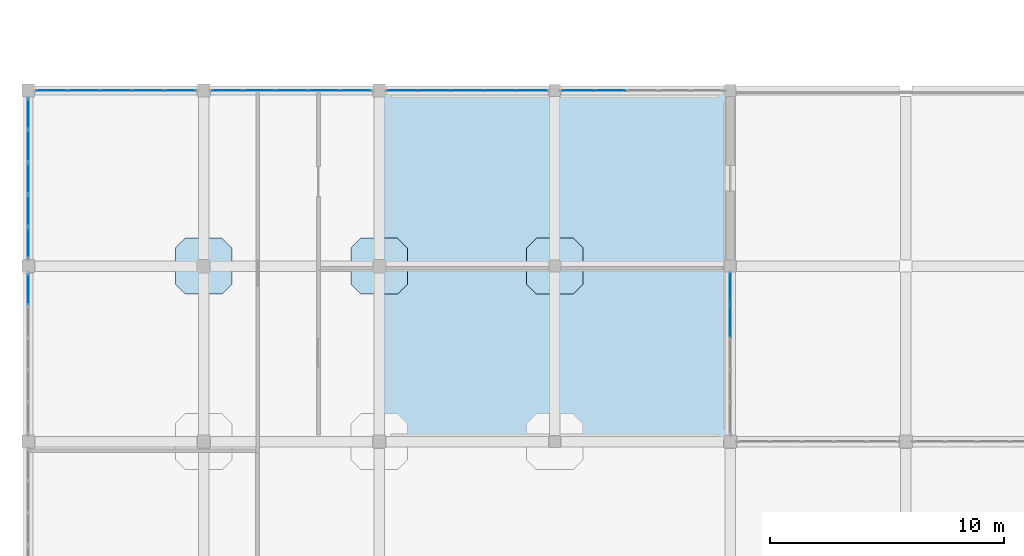
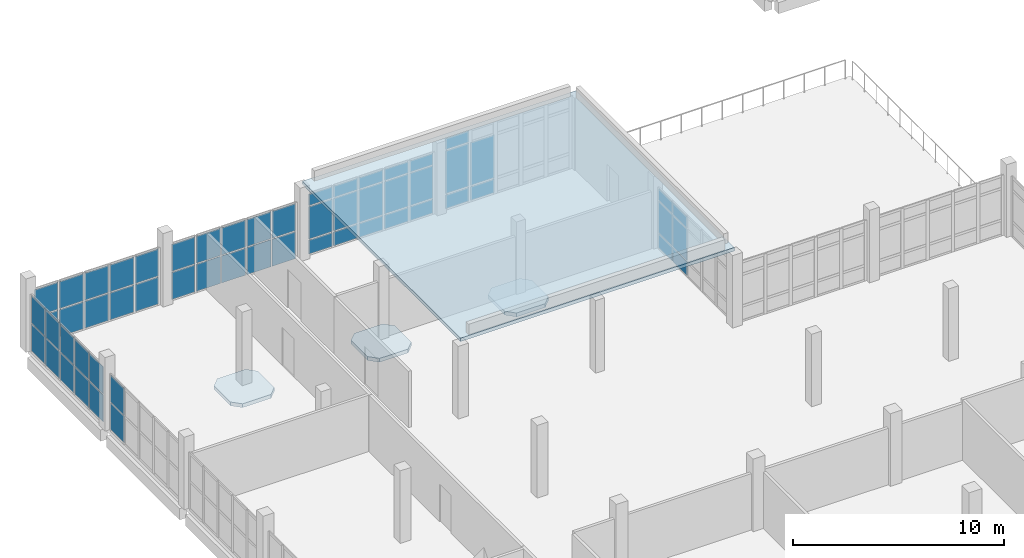
# One storey, part 129 of 164: 58 plates, 4 slabs, 7 elements without a shape of their own.
"""IFC4 building model written with IfcOpenShell, lengths in metres."""

from ifc_helpers import new_model, si_unit, direction, frame, origin, origin_2d, place, context, subcontext, project, spatial, polyline, rectangle, outline, extrude, material, layer, layer_set, type_object, element, aggregate, save


model = new_model("IFC4")

# Units and contexts
model_context = context("Model", 3, precision=1e-05, world=origin(), true_north=direction((0.0, 1.0)))
body_context = subcontext(model_context, "Body", "Model", "MODEL_VIEW")
ifc_project = project(units=[si_unit("LENGTHUNIT", "METRE"), si_unit("AREAUNIT", "SQUARE_METRE"), si_unit("VOLUMEUNIT", "CUBIC_METRE"), si_unit("PLANEANGLEUNIT", "RADIAN"), si_unit("MASSUNIT", "GRAM", prefix="KILO")], contexts=[model_context])

# Site, building, storey
site_placement = place(None, origin())
site = spatial("IfcSite", under=ifc_project, at=site_placement, CompositionType="ELEMENT")
building_placement = place(site_placement, origin())
building = spatial("IfcBuilding", under=site, at=building_placement, Name="Mawjan Specialist Oncology Clinic", CompositionType="ELEMENT")
storey_placement = place(building_placement, frame((0.0, 0.0, 5.0)))
storey = spatial("IfcBuildingStorey", under=building, at=storey_placement, Name="L01", CompositionType="ELEMENT", Elevation=5.0)

# Curtain wall, plates
ifc_material_1 = material(Name="Unitised spectrally selective aluminium curtain wall", Category="aluminium")
ifc_layer_1 = layer(ifc_material_1, 0.179931640625, Name="Unitised spectrally selective aluminium curtain wall", Category="aluminium")
ifc_layer_set_1 = layer_set([ifc_layer_1], Name="Unitised spectrally selective aluminium curtain wall")
curtain_wall_type_1 = type_object("IfcCurtainWallType", Name="CW-77", PredefinedType="NOTDEFINED", material=ifc_layer_set_1)
curtain_wall_1_placement = place(storey_placement, origin())
curtain_wall_1 = element("IfcCurtainWall", 1, at=curtain_wall_1_placement, inside=storey, type_object=curtain_wall_type_1, Name="L01 Unitised Curtain Wall CW-L01-150", PredefinedType="NOTDEFINED")
ifc_material_2 = material(Name="Spectrally selective double low-E glazing", Category="glass")
ifc_layer_2 = layer(ifc_material_2, 0.031982421875, Name="Spectrally selective double low-E glazing", Category="glass")
ifc_layer_set_2 = layer_set([ifc_layer_2], Name="Spectrally selective double low-E glazing")
plate_type = type_object("IfcPlateType", Name="CW-P32", PredefinedType="CURTAIN_PANEL", material=ifc_layer_set_2)
plate_1_placement = place(storey_placement, frame((0.0, 67.2978515625, 0.06494140625), z_axis=(0.0, 0.0, 1.0), x_axis=(0.0, 1.0, 0.0)))
plate_1 = element("IfcPlate", 2, at=plate_1_placement, type_object=plate_type, Name="CW-77 panel 5.1", PredefinedType="CURTAIN_PANEL", context=body_context, shape_type="SweptSolid", body=[
    extrude(rectangle(XDim=1.284423828125, YDim=0.031982421875, at=origin_2d()), origin(), (0.0, 0.0, 1.0), 1.534912109375),
])
plate_2_placement = place(storey_placement, frame((0.0, 67.2978515625, 1.6650390625), z_axis=(0.0, 0.0, 1.0), x_axis=(0.0, 1.0, 0.0)))
plate_2 = element("IfcPlate", 3, at=plate_2_placement, type_object=plate_type, Name="CW-77 panel 5.2", PredefinedType="CURTAIN_PANEL", context=body_context, shape_type="SweptSolid", body=[
    extrude(rectangle(XDim=1.284423828125, YDim=0.031982421875, at=origin_2d()), origin(), (0.0, 0.0, 1.0), 1.534912109375),
])
aggregate(curtain_wall_1, [plate_1, plate_2])

ifc_material_3 = material(Name="Unitised spectrally selective aluminium curtain wall", Category="aluminium")
ifc_layer_3 = layer(ifc_material_3, 0.179931640625, Name="Unitised spectrally selective aluminium curtain wall", Category="aluminium")
ifc_layer_set_3 = layer_set([ifc_layer_3], Name="Unitised spectrally selective aluminium curtain wall")
curtain_wall_type_2 = type_object("IfcCurtainWallType", Name="CW-78", PredefinedType="NOTDEFINED", material=ifc_layer_set_3)
curtain_wall_2_placement = place(storey_placement, origin())
curtain_wall_2 = element("IfcCurtainWall", 4, at=curtain_wall_2_placement, inside=storey, type_object=curtain_wall_type_2, Name="L01 Unitised Curtain Wall CW-L01-151", PredefinedType="NOTDEFINED")
plate_3_placement = place(storey_placement, frame((0.0, 69.30224609375, 0.06494140625), z_axis=(0.0, 0.0, 1.0), x_axis=(0.0, 1.0, 0.0)))
plate_3 = element("IfcPlate", 5, at=plate_3_placement, type_object=plate_type, Name="CW-78 panel 1.1", PredefinedType="CURTAIN_PANEL", context=body_context, shape_type="SweptSolid", body=[
    extrude(rectangle(XDim=1.284423828125, YDim=0.031982421875, at=origin_2d()), origin(), (0.0, 0.0, 1.0), 1.56005859375),
])
plate_4_placement = place(storey_placement, frame((0.0, 69.30224609375, 1.68994140625), z_axis=(0.0, 0.0, 1.0), x_axis=(0.0, 1.0, 0.0)))
plate_4 = element("IfcPlate", 6, at=plate_4_placement, type_object=plate_type, Name="CW-78 panel 1.2", PredefinedType="CURTAIN_PANEL", context=body_context, shape_type="SweptSolid", body=[
    extrude(rectangle(XDim=1.284423828125, YDim=0.031982421875, at=origin_2d()), origin(), (0.0, 0.0, 1.0), 1.56005859375),
])
plate_5_placement = place(storey_placement, frame((0.0, 70.66796875, 0.06494140625), z_axis=(0.0, 0.0, 1.0), x_axis=(0.0, 1.0, 0.0)))
plate_5 = element("IfcPlate", 7, at=plate_5_placement, type_object=plate_type, Name="CW-78 panel 2.1", PredefinedType="CURTAIN_PANEL", context=body_context, shape_type="SweptSolid", body=[
    extrude(rectangle(XDim=1.31689453125, YDim=0.031982421875, at=origin_2d()), origin(), (0.0, 0.0, 1.0), 1.56005859375),
])
plate_6_placement = place(storey_placement, frame((0.0, 70.66796875, 1.68994140625), z_axis=(0.0, 0.0, 1.0), x_axis=(0.0, 1.0, 0.0)))
plate_6 = element("IfcPlate", 8, at=plate_6_placement, type_object=plate_type, Name="CW-78 panel 2.2", PredefinedType="CURTAIN_PANEL", context=body_context, shape_type="SweptSolid", body=[
    extrude(rectangle(XDim=1.31689453125, YDim=0.031982421875, at=origin_2d()), origin(), (0.0, 0.0, 1.0), 1.56005859375),
])
plate_7_placement = place(storey_placement, frame((0.0, 72.050048828125, 0.06494140625), z_axis=(0.0, 0.0, 1.0), x_axis=(0.0, 1.0, 0.0)))
plate_7 = element("IfcPlate", 9, at=plate_7_placement, type_object=plate_type, Name="CW-78 panel 3.1", PredefinedType="CURTAIN_PANEL", context=body_context, shape_type="SweptSolid", body=[
    extrude(rectangle(XDim=1.31689453125, YDim=0.031982421875, at=origin_2d()), origin(), (0.0, 0.0, 1.0), 1.56005859375),
])
plate_8_placement = place(storey_placement, frame((0.0, 72.050048828125, 1.68994140625), z_axis=(0.0, 0.0, 1.0), x_axis=(0.0, 1.0, 0.0)))
plate_8 = element("IfcPlate", 10, at=plate_8_placement, type_object=plate_type, Name="CW-78 panel 3.2", PredefinedType="CURTAIN_PANEL", context=body_context, shape_type="SweptSolid", body=[
    extrude(rectangle(XDim=1.31689453125, YDim=0.031982421875, at=origin_2d()), origin(), (0.0, 0.0, 1.0), 1.56005859375),
])
plate_9_placement = place(storey_placement, frame((0.0, 73.431884765625, 0.06494140625), z_axis=(0.0, 0.0, 1.0), x_axis=(0.0, 1.0, 0.0)))
plate_9 = element("IfcPlate", 11, at=plate_9_placement, type_object=plate_type, Name="CW-78 panel 4.1", PredefinedType="CURTAIN_PANEL", context=body_context, shape_type="SweptSolid", body=[
    extrude(rectangle(XDim=1.31689453125, YDim=0.031982421875, at=origin_2d()), origin(), (0.0, 0.0, 1.0), 1.56005859375),
])
plate_10_placement = place(storey_placement, frame((0.0, 73.431884765625, 1.68994140625), z_axis=(0.0, 0.0, 1.0), x_axis=(0.0, 1.0, 0.0)))
plate_10 = element("IfcPlate", 12, at=plate_10_placement, type_object=plate_type, Name="CW-78 panel 4.2", PredefinedType="CURTAIN_PANEL", context=body_context, shape_type="SweptSolid", body=[
    extrude(rectangle(XDim=1.31689453125, YDim=0.031982421875, at=origin_2d()), origin(), (0.0, 0.0, 1.0), 1.56005859375),
])
plate_11_placement = place(storey_placement, frame((0.0, 74.7978515625, 0.06494140625), z_axis=(0.0, 0.0, 1.0), x_axis=(0.0, 1.0, 0.0)))
plate_11 = element("IfcPlate", 13, at=plate_11_placement, type_object=plate_type, Name="CW-78 panel 5.1", PredefinedType="CURTAIN_PANEL", context=body_context, shape_type="SweptSolid", body=[
    extrude(rectangle(XDim=1.284423828125, YDim=0.031982421875, at=origin_2d()), origin(), (0.0, 0.0, 1.0), 1.56005859375),
])
plate_12_placement = place(storey_placement, frame((0.0, 74.7978515625, 1.68994140625), z_axis=(0.0, 0.0, 1.0), x_axis=(0.0, 1.0, 0.0)))
plate_12 = element("IfcPlate", 14, at=plate_12_placement, type_object=plate_type, Name="CW-78 panel 5.2", PredefinedType="CURTAIN_PANEL", context=body_context, shape_type="SweptSolid", body=[
    extrude(rectangle(XDim=1.284423828125, YDim=0.031982421875, at=origin_2d()), origin(), (0.0, 0.0, 1.0), 1.56005859375),
])
aggregate(curtain_wall_2, [plate_3, plate_4, plate_5, plate_6, plate_7, plate_8, plate_9, plate_10, plate_11, plate_12])

curtain_wall_3_placement = place(storey_placement, origin())
curtain_wall_3 = element("IfcCurtainWall", 15, at=curtain_wall_3_placement, inside=storey, type_object=curtain_wall_type_2, Name="L01 Unitised Curtain Wall CW-L01-152", PredefinedType="NOTDEFINED")
plate_13_placement = place(storey_placement, frame((1.002197265625, 75.800048828125, 0.06494140625), z_axis=(0.0, 0.0, 1.0), x_axis=(1.0, 0.0, 0.0)))
plate_13 = element("IfcPlate", 16, at=plate_13_placement, type_object=plate_type, Name="CW-78 panel 1.1", PredefinedType="CURTAIN_PANEL", context=body_context, shape_type="SweptSolid", body=[
    extrude(rectangle(XDim=1.284423828125, YDim=0.031982421875, at=origin_2d()), origin(), (0.0, 0.0, 1.0), 1.56005859375),
])
plate_14_placement = place(storey_placement, frame((1.002197265625, 75.800048828125, 1.68994140625), z_axis=(0.0, 0.0, 1.0), x_axis=(1.0, 0.0, 0.0)))
plate_14 = element("IfcPlate", 17, at=plate_14_placement, type_object=plate_type, Name="CW-78 panel 1.2", PredefinedType="CURTAIN_PANEL", context=body_context, shape_type="SweptSolid", body=[
    extrude(rectangle(XDim=1.284423828125, YDim=0.031982421875, at=origin_2d()), origin(), (0.0, 0.0, 1.0), 1.56005859375),
])
plate_15_placement = place(storey_placement, frame((2.367919921875, 75.800048828125, 0.06494140625), z_axis=(0.0, 0.0, 1.0), x_axis=(1.0, 0.0, 0.0)))
plate_15 = element("IfcPlate", 18, at=plate_15_placement, type_object=plate_type, Name="CW-78 panel 2.1", PredefinedType="CURTAIN_PANEL", context=body_context, shape_type="SweptSolid", body=[
    extrude(rectangle(XDim=1.31689453125, YDim=0.031982421875, at=origin_2d()), origin(), (0.0, 0.0, 1.0), 1.56005859375),
])
plate_16_placement = place(storey_placement, frame((2.367919921875, 75.800048828125, 1.68994140625), z_axis=(0.0, 0.0, 1.0), x_axis=(1.0, 0.0, 0.0)))
plate_16 = element("IfcPlate", 19, at=plate_16_placement, type_object=plate_type, Name="CW-78 panel 2.2", PredefinedType="CURTAIN_PANEL", context=body_context, shape_type="SweptSolid", body=[
    extrude(rectangle(XDim=1.31689453125, YDim=0.031982421875, at=origin_2d()), origin(), (0.0, 0.0, 1.0), 1.56005859375),
])
plate_17_placement = place(storey_placement, frame((3.75, 75.800048828125, 0.06494140625), z_axis=(0.0, 0.0, 1.0), x_axis=(1.0, 0.0, 0.0)))
plate_17 = element("IfcPlate", 20, at=plate_17_placement, type_object=plate_type, Name="CW-78 panel 3.1", PredefinedType="CURTAIN_PANEL", context=body_context, shape_type="SweptSolid", body=[
    extrude(rectangle(XDim=1.31689453125, YDim=0.031982421875, at=origin_2d()), origin(), (0.0, 0.0, 1.0), 1.56005859375),
])
plate_18_placement = place(storey_placement, frame((3.75, 75.800048828125, 1.68994140625), z_axis=(0.0, 0.0, 1.0), x_axis=(1.0, 0.0, 0.0)))
plate_18 = element("IfcPlate", 21, at=plate_18_placement, type_object=plate_type, Name="CW-78 panel 3.2", PredefinedType="CURTAIN_PANEL", context=body_context, shape_type="SweptSolid", body=[
    extrude(rectangle(XDim=1.31689453125, YDim=0.031982421875, at=origin_2d()), origin(), (0.0, 0.0, 1.0), 1.56005859375),
])
plate_19_placement = place(storey_placement, frame((5.132080078125, 75.800048828125, 0.06494140625), z_axis=(0.0, 0.0, 1.0), x_axis=(1.0, 0.0, 0.0)))
plate_19 = element("IfcPlate", 22, at=plate_19_placement, type_object=plate_type, Name="CW-78 panel 4.1", PredefinedType="CURTAIN_PANEL", context=body_context, shape_type="SweptSolid", body=[
    extrude(rectangle(XDim=1.31689453125, YDim=0.031982421875, at=origin_2d()), origin(), (0.0, 0.0, 1.0), 1.56005859375),
])
plate_20_placement = place(storey_placement, frame((5.132080078125, 75.800048828125, 1.68994140625), z_axis=(0.0, 0.0, 1.0), x_axis=(1.0, 0.0, 0.0)))
plate_20 = element("IfcPlate", 23, at=plate_20_placement, type_object=plate_type, Name="CW-78 panel 4.2", PredefinedType="CURTAIN_PANEL", context=body_context, shape_type="SweptSolid", body=[
    extrude(rectangle(XDim=1.31689453125, YDim=0.031982421875, at=origin_2d()), origin(), (0.0, 0.0, 1.0), 1.56005859375),
])
plate_21_placement = place(storey_placement, frame((6.497802734375, 75.800048828125, 0.06494140625), z_axis=(0.0, 0.0, 1.0), x_axis=(1.0, 0.0, 0.0)))
plate_21 = element("IfcPlate", 24, at=plate_21_placement, type_object=plate_type, Name="CW-78 panel 5.1", PredefinedType="CURTAIN_PANEL", context=body_context, shape_type="SweptSolid", body=[
    extrude(rectangle(XDim=1.284423828125, YDim=0.031982421875, at=origin_2d()), origin(), (0.0, 0.0, 1.0), 1.56005859375),
])
plate_22_placement = place(storey_placement, frame((6.497802734375, 75.800048828125, 1.68994140625), z_axis=(0.0, 0.0, 1.0), x_axis=(1.0, 0.0, 0.0)))
plate_22 = element("IfcPlate", 25, at=plate_22_placement, type_object=plate_type, Name="CW-78 panel 5.2", PredefinedType="CURTAIN_PANEL", context=body_context, shape_type="SweptSolid", body=[
    extrude(rectangle(XDim=1.284423828125, YDim=0.031982421875, at=origin_2d()), origin(), (0.0, 0.0, 1.0), 1.56005859375),
])
aggregate(curtain_wall_3, [plate_13, plate_14, plate_15, plate_16, plate_17, plate_18, plate_19, plate_20, plate_21, plate_22])

curtain_wall_4_placement = place(storey_placement, origin())
curtain_wall_4 = element("IfcCurtainWall", 26, at=curtain_wall_4_placement, inside=storey, type_object=curtain_wall_type_2, Name="L01 Unitised Curtain Wall CW-L01-153", PredefinedType="NOTDEFINED")
plate_23_placement = place(storey_placement, frame((8.502197265625, 75.800048828125, 0.06494140625), z_axis=(0.0, 0.0, 1.0), x_axis=(1.0, 0.0, 0.0)))
plate_23 = element("IfcPlate", 27, at=plate_23_placement, type_object=plate_type, Name="CW-78 panel 1.1", PredefinedType="CURTAIN_PANEL", context=body_context, shape_type="SweptSolid", body=[
    extrude(rectangle(XDim=1.284423828125, YDim=0.031982421875, at=origin_2d()), origin(), (0.0, 0.0, 1.0), 1.56005859375),
])
plate_24_placement = place(storey_placement, frame((8.502197265625, 75.800048828125, 1.68994140625), z_axis=(0.0, 0.0, 1.0), x_axis=(1.0, 0.0, 0.0)))
plate_24 = element("IfcPlate", 28, at=plate_24_placement, type_object=plate_type, Name="CW-78 panel 1.2", PredefinedType="CURTAIN_PANEL", context=body_context, shape_type="SweptSolid", body=[
    extrude(rectangle(XDim=1.284423828125, YDim=0.031982421875, at=origin_2d()), origin(), (0.0, 0.0, 1.0), 1.56005859375),
])
plate_25_placement = place(storey_placement, frame((9.867919921875, 75.800048828125, 0.06494140625), z_axis=(0.0, 0.0, 1.0), x_axis=(1.0, 0.0, 0.0)))
plate_25 = element("IfcPlate", 29, at=plate_25_placement, type_object=plate_type, Name="CW-78 panel 2.1", PredefinedType="CURTAIN_PANEL", context=body_context, shape_type="SweptSolid", body=[
    extrude(rectangle(XDim=1.31689453125, YDim=0.031982421875, at=origin_2d()), origin(), (0.0, 0.0, 1.0), 1.56005859375),
])
plate_26_placement = place(storey_placement, frame((9.867919921875, 75.800048828125, 1.68994140625), z_axis=(0.0, 0.0, 1.0), x_axis=(1.0, 0.0, 0.0)))
plate_26 = element("IfcPlate", 30, at=plate_26_placement, type_object=plate_type, Name="CW-78 panel 2.2", PredefinedType="CURTAIN_PANEL", context=body_context, shape_type="SweptSolid", body=[
    extrude(rectangle(XDim=1.31689453125, YDim=0.031982421875, at=origin_2d()), origin(), (0.0, 0.0, 1.0), 1.56005859375),
])
plate_27_placement = place(storey_placement, frame((11.25, 75.800048828125, 0.06494140625), z_axis=(0.0, 0.0, 1.0), x_axis=(1.0, 0.0, 0.0)))
plate_27 = element("IfcPlate", 31, at=plate_27_placement, type_object=plate_type, Name="CW-78 panel 3.1", PredefinedType="CURTAIN_PANEL", context=body_context, shape_type="SweptSolid", body=[
    extrude(rectangle(XDim=1.31689453125, YDim=0.031982421875, at=origin_2d()), origin(), (0.0, 0.0, 1.0), 1.56005859375),
])
plate_28_placement = place(storey_placement, frame((11.25, 75.800048828125, 1.68994140625), z_axis=(0.0, 0.0, 1.0), x_axis=(1.0, 0.0, 0.0)))
plate_28 = element("IfcPlate", 32, at=plate_28_placement, type_object=plate_type, Name="CW-78 panel 3.2", PredefinedType="CURTAIN_PANEL", context=body_context, shape_type="SweptSolid", body=[
    extrude(rectangle(XDim=1.31689453125, YDim=0.031982421875, at=origin_2d()), origin(), (0.0, 0.0, 1.0), 1.56005859375),
])
plate_29_placement = place(storey_placement, frame((12.632080078125, 75.800048828125, 0.06494140625), z_axis=(0.0, 0.0, 1.0), x_axis=(1.0, 0.0, 0.0)))
plate_29 = element("IfcPlate", 33, at=plate_29_placement, type_object=plate_type, Name="CW-78 panel 4.1", PredefinedType="CURTAIN_PANEL", context=body_context, shape_type="SweptSolid", body=[
    extrude(rectangle(XDim=1.31689453125, YDim=0.031982421875, at=origin_2d()), origin(), (0.0, 0.0, 1.0), 1.56005859375),
])
plate_30_placement = place(storey_placement, frame((12.632080078125, 75.800048828125, 1.68994140625), z_axis=(0.0, 0.0, 1.0), x_axis=(1.0, 0.0, 0.0)))
plate_30 = element("IfcPlate", 34, at=plate_30_placement, type_object=plate_type, Name="CW-78 panel 4.2", PredefinedType="CURTAIN_PANEL", context=body_context, shape_type="SweptSolid", body=[
    extrude(rectangle(XDim=1.31689453125, YDim=0.031982421875, at=origin_2d()), origin(), (0.0, 0.0, 1.0), 1.56005859375),
])
plate_31_placement = place(storey_placement, frame((13.997802734375, 75.800048828125, 0.06494140625), z_axis=(0.0, 0.0, 1.0), x_axis=(1.0, 0.0, 0.0)))
plate_31 = element("IfcPlate", 35, at=plate_31_placement, type_object=plate_type, Name="CW-78 panel 5.1", PredefinedType="CURTAIN_PANEL", context=body_context, shape_type="SweptSolid", body=[
    extrude(rectangle(XDim=1.284423828125, YDim=0.031982421875, at=origin_2d()), origin(), (0.0, 0.0, 1.0), 1.56005859375),
])
plate_32_placement = place(storey_placement, frame((13.997802734375, 75.800048828125, 1.68994140625), z_axis=(0.0, 0.0, 1.0), x_axis=(1.0, 0.0, 0.0)))
plate_32 = element("IfcPlate", 36, at=plate_32_placement, type_object=plate_type, Name="CW-78 panel 5.2", PredefinedType="CURTAIN_PANEL", context=body_context, shape_type="SweptSolid", body=[
    extrude(rectangle(XDim=1.284423828125, YDim=0.031982421875, at=origin_2d()), origin(), (0.0, 0.0, 1.0), 1.56005859375),
])
aggregate(curtain_wall_4, [plate_23, plate_24, plate_25, plate_26, plate_27, plate_28, plate_29, plate_30, plate_31, plate_32])

ifc_material_4 = material(Name="Unitised spectrally selective aluminium curtain wall", Category="aluminium")
ifc_layer_4 = layer(ifc_material_4, 0.179931640625, Name="Unitised spectrally selective aluminium curtain wall", Category="aluminium")
ifc_layer_set_4 = layer_set([ifc_layer_4], Name="Unitised spectrally selective aluminium curtain wall")
curtain_wall_type_3 = type_object("IfcCurtainWallType", Name="CW-79", PredefinedType="NOTDEFINED", material=ifc_layer_set_4)
curtain_wall_5_placement = place(storey_placement, origin())
curtain_wall_5 = element("IfcCurtainWall", 37, at=curtain_wall_5_placement, inside=storey, type_object=curtain_wall_type_3, Name="L01 Unitised Curtain Wall CW-L01-154", PredefinedType="NOTDEFINED")
plate_33_placement = place(storey_placement, frame((16.004638671875, 75.800048828125, 0.06494140625), z_axis=(0.0, 0.0, 1.0), x_axis=(1.0, 0.0, 0.0)))
plate_33 = element("IfcPlate", 38, at=plate_33_placement, type_object=plate_type, Name="CW-79 panel 1.1", PredefinedType="CURTAIN_PANEL", context=body_context, shape_type="SweptSolid", body=[
    extrude(rectangle(XDim=1.28955078125, YDim=0.031982421875, at=origin_2d()), origin(), (0.0, 0.0, 1.0), 0.802490234375),
])
plate_34_placement = place(storey_placement, frame((16.004638671875, 75.800048828125, 0.932373046875), z_axis=(0.0, 0.0, 1.0), x_axis=(1.0, 0.0, 0.0)))
plate_34 = element("IfcPlate", 39, at=plate_34_placement, type_object=plate_type, Name="CW-79 panel 1.2", PredefinedType="CURTAIN_PANEL", context=body_context, shape_type="SweptSolid", body=[
    extrude(rectangle(XDim=1.28955078125, YDim=0.031982421875, at=origin_2d()), origin(), (0.0, 0.0, 1.0), 1.8701171875),
])
plate_35_placement = place(storey_placement, frame((16.004638671875, 75.800048828125, 2.86767578125), z_axis=(0.0, 0.0, 1.0), x_axis=(1.0, 0.0, 0.0)))
plate_35 = element("IfcPlate", 40, at=plate_35_placement, type_object=plate_type, Name="CW-79 panel 1.3", PredefinedType="CURTAIN_PANEL", context=body_context, shape_type="SweptSolid", body=[
    extrude(rectangle(XDim=1.28955078125, YDim=0.031982421875, at=origin_2d()), origin(), (0.0, 0.0, 1.0), 0.652587890625),
])
plate_36_placement = place(storey_placement, frame((17.37548828125, 75.800048828125, 0.06494140625), z_axis=(0.0, 0.0, 1.0), x_axis=(1.0, 0.0, 0.0)))
plate_36 = element("IfcPlate", 41, at=plate_36_placement, type_object=plate_type, Name="CW-79 panel 2.1", PredefinedType="CURTAIN_PANEL", context=body_context, shape_type="SweptSolid", body=[
    extrude(rectangle(XDim=1.322021484375, YDim=0.031982421875, at=origin_2d()), origin(), (0.0, 0.0, 1.0), 0.802490234375),
])
plate_37_placement = place(storey_placement, frame((17.37548828125, 75.800048828125, 0.932373046875), z_axis=(0.0, 0.0, 1.0), x_axis=(1.0, 0.0, 0.0)))
plate_37 = element("IfcPlate", 42, at=plate_37_placement, type_object=plate_type, Name="CW-79 panel 2.2", PredefinedType="CURTAIN_PANEL", context=body_context, shape_type="SweptSolid", body=[
    extrude(rectangle(XDim=1.322021484375, YDim=0.031982421875, at=origin_2d()), origin(), (0.0, 0.0, 1.0), 1.8701171875),
])
plate_38_placement = place(storey_placement, frame((17.37548828125, 75.800048828125, 2.86767578125), z_axis=(0.0, 0.0, 1.0), x_axis=(1.0, 0.0, 0.0)))
plate_38 = element("IfcPlate", 43, at=plate_38_placement, type_object=plate_type, Name="CW-79 panel 2.3", PredefinedType="CURTAIN_PANEL", context=body_context, shape_type="SweptSolid", body=[
    extrude(rectangle(XDim=1.322021484375, YDim=0.031982421875, at=origin_2d()), origin(), (0.0, 0.0, 1.0), 0.652587890625),
])
plate_39_placement = place(storey_placement, frame((18.762451171875, 75.800048828125, 0.06494140625), z_axis=(0.0, 0.0, 1.0), x_axis=(1.0, 0.0, 0.0)))
plate_39 = element("IfcPlate", 44, at=plate_39_placement, type_object=plate_type, Name="CW-79 panel 3.1", PredefinedType="CURTAIN_PANEL", context=body_context, shape_type="SweptSolid", body=[
    extrude(rectangle(XDim=1.322021484375, YDim=0.031982421875, at=origin_2d()), origin(), (0.0, 0.0, 1.0), 0.802490234375),
])
plate_40_placement = place(storey_placement, frame((18.762451171875, 75.800048828125, 0.932373046875), z_axis=(0.0, 0.0, 1.0), x_axis=(1.0, 0.0, 0.0)))
plate_40 = element("IfcPlate", 45, at=plate_40_placement, type_object=plate_type, Name="CW-79 panel 3.2", PredefinedType="CURTAIN_PANEL", context=body_context, shape_type="SweptSolid", body=[
    extrude(rectangle(XDim=1.322021484375, YDim=0.031982421875, at=origin_2d()), origin(), (0.0, 0.0, 1.0), 1.8701171875),
])
plate_41_placement = place(storey_placement, frame((18.762451171875, 75.800048828125, 2.86767578125), z_axis=(0.0, 0.0, 1.0), x_axis=(1.0, 0.0, 0.0)))
plate_41 = element("IfcPlate", 46, at=plate_41_placement, type_object=plate_type, Name="CW-79 panel 3.3", PredefinedType="CURTAIN_PANEL", context=body_context, shape_type="SweptSolid", body=[
    extrude(rectangle(XDim=1.322021484375, YDim=0.031982421875, at=origin_2d()), origin(), (0.0, 0.0, 1.0), 0.652587890625),
])
plate_42_placement = place(storey_placement, frame((20.1494140625, 75.800048828125, 0.06494140625), z_axis=(0.0, 0.0, 1.0), x_axis=(1.0, 0.0, 0.0)))
plate_42 = element("IfcPlate", 47, at=plate_42_placement, type_object=plate_type, Name="CW-79 panel 4.1", PredefinedType="CURTAIN_PANEL", context=body_context, shape_type="SweptSolid", body=[
    extrude(rectangle(XDim=1.322021484375, YDim=0.031982421875, at=origin_2d()), origin(), (0.0, 0.0, 1.0), 0.802490234375),
])
plate_43_placement = place(storey_placement, frame((20.1494140625, 75.800048828125, 0.932373046875), z_axis=(0.0, 0.0, 1.0), x_axis=(1.0, 0.0, 0.0)))
plate_43 = element("IfcPlate", 48, at=plate_43_placement, type_object=plate_type, Name="CW-79 panel 4.2", PredefinedType="CURTAIN_PANEL", context=body_context, shape_type="SweptSolid", body=[
    extrude(rectangle(XDim=1.322021484375, YDim=0.031982421875, at=origin_2d()), origin(), (0.0, 0.0, 1.0), 1.8701171875),
])
plate_44_placement = place(storey_placement, frame((20.1494140625, 75.800048828125, 2.86767578125), z_axis=(0.0, 0.0, 1.0), x_axis=(1.0, 0.0, 0.0)))
plate_44 = element("IfcPlate", 49, at=plate_44_placement, type_object=plate_type, Name="CW-79 panel 4.3", PredefinedType="CURTAIN_PANEL", context=body_context, shape_type="SweptSolid", body=[
    extrude(rectangle(XDim=1.322021484375, YDim=0.031982421875, at=origin_2d()), origin(), (0.0, 0.0, 1.0), 0.652587890625),
])
plate_45_placement = place(storey_placement, frame((21.520263671875, 75.800048828125, 0.06494140625), z_axis=(0.0, 0.0, 1.0), x_axis=(1.0, 0.0, 0.0)))
plate_45 = element("IfcPlate", 50, at=plate_45_placement, type_object=plate_type, Name="CW-79 panel 5.1", PredefinedType="CURTAIN_PANEL", context=body_context, shape_type="SweptSolid", body=[
    extrude(rectangle(XDim=1.28955078125, YDim=0.031982421875, at=origin_2d()), origin(), (0.0, 0.0, 1.0), 0.802490234375),
])
plate_46_placement = place(storey_placement, frame((21.520263671875, 75.800048828125, 0.932373046875), z_axis=(0.0, 0.0, 1.0), x_axis=(1.0, 0.0, 0.0)))
plate_46 = element("IfcPlate", 51, at=plate_46_placement, type_object=plate_type, Name="CW-79 panel 5.2", PredefinedType="CURTAIN_PANEL", context=body_context, shape_type="SweptSolid", body=[
    extrude(rectangle(XDim=1.28955078125, YDim=0.031982421875, at=origin_2d()), origin(), (0.0, 0.0, 1.0), 1.8701171875),
])
plate_47_placement = place(storey_placement, frame((21.520263671875, 75.800048828125, 2.86767578125), z_axis=(0.0, 0.0, 1.0), x_axis=(1.0, 0.0, 0.0)))
plate_47 = element("IfcPlate", 52, at=plate_47_placement, type_object=plate_type, Name="CW-79 panel 5.3", PredefinedType="CURTAIN_PANEL", context=body_context, shape_type="SweptSolid", body=[
    extrude(rectangle(XDim=1.28955078125, YDim=0.031982421875, at=origin_2d()), origin(), (0.0, 0.0, 1.0), 0.652587890625),
])
aggregate(curtain_wall_5, [plate_33, plate_34, plate_35, plate_36, plate_37, plate_38, plate_39, plate_40, plate_41, plate_42, plate_43, plate_44, plate_45, plate_46, plate_47])

ifc_material_5 = material(Name="Unitised spectrally selective aluminium curtain wall", Category="aluminium")
ifc_layer_5 = layer(ifc_material_5, 0.179931640625, Name="Unitised spectrally selective aluminium curtain wall", Category="aluminium")
ifc_layer_set_5 = layer_set([ifc_layer_5], Name="Unitised spectrally selective aluminium curtain wall")
curtain_wall_type_4 = type_object("IfcCurtainWallType", Name="CW-65", PredefinedType="NOTDEFINED", material=ifc_layer_set_5)
curtain_wall_6_placement = place(storey_placement, origin())
curtain_wall_6 = element("IfcCurtainWall", 53, at=curtain_wall_6_placement, inside=storey, type_object=curtain_wall_type_4, Name="L01 Unitised Curtain Wall CW-L01-155", PredefinedType="NOTDEFINED")
plate_48_placement = place(storey_placement, frame((23.4833984375, 75.800048828125, 0.070068359375), z_axis=(0.0, 0.0, 1.0), x_axis=(1.0, 0.0, 0.0)))
plate_48 = element("IfcPlate", 54, at=plate_48_placement, type_object=plate_type, Name="CW-65 panel 1.1", PredefinedType="CURTAIN_PANEL", context=body_context, shape_type="SweptSolid", body=[
    extrude(rectangle(XDim=1.287109375, YDim=0.031982421875, at=origin_2d()), origin(), (0.0, 0.0, 1.0), 0.794921875),
])
plate_49_placement = place(storey_placement, frame((23.4833984375, 75.800048828125, 0.93505859375), z_axis=(0.0, 0.0, 1.0), x_axis=(1.0, 0.0, 0.0)))
plate_49 = element("IfcPlate", 55, at=plate_49_placement, type_object=plate_type, Name="CW-65 panel 1.2", PredefinedType="CURTAIN_PANEL", context=body_context, shape_type="SweptSolid", body=[
    extrude(rectangle(XDim=1.287109375, YDim=0.031982421875, at=origin_2d()), origin(), (0.0, 0.0, 1.0), 2.47998046875),
])
plate_50_placement = place(storey_placement, frame((23.4833984375, 75.800048828125, 3.485107421875), z_axis=(0.0, 0.0, 1.0), x_axis=(1.0, 0.0, 0.0)))
plate_50 = element("IfcPlate", 56, at=plate_50_placement, type_object=plate_type, Name="CW-65 panel 1.3", PredefinedType="CURTAIN_PANEL", context=body_context, shape_type="SweptSolid", body=[
    extrude(rectangle(XDim=1.287109375, YDim=0.031982421875, at=origin_2d()), origin(), (0.0, 0.0, 1.0), 0.64501953125),
])
plate_51_placement = place(storey_placement, frame((24.85791015625, 75.800048828125, 0.070068359375), z_axis=(0.0, 0.0, 1.0), x_axis=(1.0, 0.0, 0.0)))
plate_51 = element("IfcPlate", 57, at=plate_51_placement, type_object=plate_type, Name="CW-65 panel 2.1", PredefinedType="CURTAIN_PANEL", context=body_context, shape_type="SweptSolid", body=[
    extrude(rectangle(XDim=1.322021484375, YDim=0.031982421875, at=origin_2d()), origin(), (0.0, 0.0, 1.0), 0.794921875),
])
plate_52_placement = place(storey_placement, frame((24.85791015625, 75.800048828125, 0.93505859375), z_axis=(0.0, 0.0, 1.0), x_axis=(1.0, 0.0, 0.0)))
plate_52 = element("IfcPlate", 58, at=plate_52_placement, type_object=plate_type, Name="CW-65 panel 2.2", PredefinedType="CURTAIN_PANEL", context=body_context, shape_type="SweptSolid", body=[
    extrude(rectangle(XDim=1.322021484375, YDim=0.031982421875, at=origin_2d()), origin(), (0.0, 0.0, 1.0), 2.47998046875),
])
aggregate(curtain_wall_6, [plate_48, plate_49, plate_50, plate_51, plate_52])

ifc_material_6 = material(Name="Unitised spectrally selective aluminium curtain wall", Category="aluminium")
ifc_layer_6 = layer(ifc_material_6, 0.179931640625, Name="Unitised spectrally selective aluminium curtain wall", Category="aluminium")
ifc_layer_set_6 = layer_set([ifc_layer_6], Name="Unitised spectrally selective aluminium curtain wall")
curtain_wall_type_5 = type_object("IfcCurtainWallType", Name="CW-53", PredefinedType="NOTDEFINED", material=ifc_layer_set_6)
curtain_wall_7_placement = place(storey_placement, origin())
curtain_wall_7 = element("IfcCurtainWall", 59, at=curtain_wall_7_placement, inside=storey, type_object=curtain_wall_type_5, Name="L01 Unitised Curtain Wall CW-L01-156", PredefinedType="NOTDEFINED")
plate_53_placement = place(storey_placement, frame((30.0, 67.3203125, 0.06494140625), z_axis=(0.0, 0.0, 1.0), x_axis=(0.0, -1.0, 0.0)))
plate_53 = element("IfcPlate", 60, at=plate_53_placement, type_object=plate_type, Name="CW-53 panel 1.1", PredefinedType="CURTAIN_PANEL", context=body_context, shape_type="SweptSolid", body=[
    extrude(rectangle(XDim=1.28955078125, YDim=0.031982421875, at=origin_2d()), origin(), (0.0, 0.0, 1.0), 0.802490234375),
])
plate_54_placement = place(storey_placement, frame((30.0, 67.3203125, 0.9326171875), z_axis=(0.0, 0.0, 1.0), x_axis=(0.0, -1.0, 0.0)))
plate_54 = element("IfcPlate", 61, at=plate_54_placement, type_object=plate_type, Name="CW-53 panel 1.2", PredefinedType="CURTAIN_PANEL", context=body_context, shape_type="SweptSolid", body=[
    extrude(rectangle(XDim=1.28955078125, YDim=0.031982421875, at=origin_2d()), origin(), (0.0, 0.0, 1.0), 1.820068359375),
])
plate_55_placement = place(storey_placement, frame((30.0, 67.3203125, 2.8173828125), z_axis=(0.0, 0.0, 1.0), x_axis=(0.0, -1.0, 0.0)))
plate_55 = element("IfcPlate", 62, at=plate_55_placement, type_object=plate_type, Name="CW-53 panel 1.3", PredefinedType="CURTAIN_PANEL", context=body_context, shape_type="SweptSolid", body=[
    extrude(rectangle(XDim=1.28955078125, YDim=0.031982421875, at=origin_2d()), origin(), (0.0, 0.0, 1.0), 0.652587890625),
])
plate_56_placement = place(storey_placement, frame((30.0, 65.949462890625, 0.06494140625), z_axis=(0.0, 0.0, 1.0), x_axis=(0.0, -1.0, 0.0)))
plate_56 = element("IfcPlate", 63, at=plate_56_placement, type_object=plate_type, Name="CW-53 panel 2.1", PredefinedType="CURTAIN_PANEL", context=body_context, shape_type="SweptSolid", body=[
    extrude(rectangle(XDim=1.322021484375, YDim=0.031982421875, at=origin_2d()), origin(), (0.0, 0.0, 1.0), 0.802490234375),
])
plate_57_placement = place(storey_placement, frame((30.0, 65.949462890625, 0.9326171875), z_axis=(0.0, 0.0, 1.0), x_axis=(0.0, -1.0, 0.0)))
plate_57 = element("IfcPlate", 64, at=plate_57_placement, type_object=plate_type, Name="CW-53 panel 2.2", PredefinedType="CURTAIN_PANEL", context=body_context, shape_type="SweptSolid", body=[
    extrude(rectangle(XDim=1.322021484375, YDim=0.031982421875, at=origin_2d()), origin(), (0.0, 0.0, 1.0), 1.820068359375),
])
plate_58_placement = place(storey_placement, frame((30.0, 65.949462890625, 2.8173828125), z_axis=(0.0, 0.0, 1.0), x_axis=(0.0, -1.0, 0.0)))
plate_58 = element("IfcPlate", 65, at=plate_58_placement, type_object=plate_type, Name="CW-53 panel 2.3", PredefinedType="CURTAIN_PANEL", context=body_context, shape_type="SweptSolid", body=[
    extrude(rectangle(XDim=1.322021484375, YDim=0.031982421875, at=origin_2d()), origin(), (0.0, 0.0, 1.0), 0.652587890625),
])
aggregate(curtain_wall_7, [plate_53, plate_54, plate_55, plate_56, plate_57, plate_58])

# Slabs
ifc_material_7 = material(Name="Concrete C35/45", Category="concrete")
ifc_layer_7 = layer(ifc_material_7, 0.219970703125, Name="Concrete C35/45", Category="concrete")
ifc_layer_set_7 = layer_set([ifc_layer_7], Name="Concrete C35/45")
slab_type_1 = type_object("IfcSlabType", Name="DP-220", PredefinedType="FLOOR", material=ifc_layer_set_7)
slab_1_placement = place(storey_placement, frame((0.0, 0.0, -0.52001953125)))
element("IfcSlab", 66, at=slab_1_placement, inside=storey, type_object=slab_type_1, Name="L01 Octagonal Column Drop Panel DP-L01-022", PredefinedType="FLOOR", context=body_context, shape_type="SweptSolid", body=[
    extrude(outline(polyline([(6.719970703125, 67.10009765625), (8.280029296875, 67.10009765625), (8.699951171875, 67.52001953125), (8.699951171875, 69.080078125), (8.280029296875, 69.5), (6.719970703125, 69.5), (6.300048828125, 69.080078125), (6.300048828125, 67.52001953125), (6.719970703125, 67.10009765625)])), origin(), (0.0, 0.0, 1.0), 0.219970703125),
])
slab_2_placement = place(storey_placement, frame((0.0, 0.0, -0.52001953125)))
element("IfcSlab", 67, at=slab_2_placement, inside=storey, type_object=slab_type_1, Name="L01 Octagonal Column Drop Panel DP-L01-036", PredefinedType="FLOOR", context=body_context, shape_type="SweptSolid", body=[
    extrude(outline(polyline([(14.219970703125, 67.10009765625), (15.780029296875, 67.10009765625), (16.199951171875, 67.52001953125), (16.199951171875, 69.080078125), (15.780029296875, 69.5), (14.219970703125, 69.5), (13.800048828125, 69.080078125), (13.800048828125, 67.52001953125), (14.219970703125, 67.10009765625)])), origin(), (0.0, 0.0, 1.0), 0.219970703125),
])
slab_3_placement = place(storey_placement, frame((0.0, 0.0, -0.52001953125)))
element("IfcSlab", 68, at=slab_3_placement, inside=storey, type_object=slab_type_1, Name="L01 Octagonal Column Drop Panel DP-L01-048", PredefinedType="FLOOR", context=body_context, shape_type="SweptSolid", body=[
    extrude(outline(polyline([(21.719970703125, 67.10009765625), (23.280029296875, 67.10009765625), (23.699951171875, 67.52001953125), (23.699951171875, 69.080078125), (23.280029296875, 69.5), (21.719970703125, 69.5), (21.300048828125, 69.080078125), (21.300048828125, 67.52001953125), (21.719970703125, 67.10009765625)])), origin(), (0.0, 0.0, 1.0), 0.219970703125),
])
ifc_material_8 = material(Name="Concrete C35/45", Category="concrete")
ifc_layer_8 = layer(ifc_material_8, 0.199951171875, Name="Concrete C35/45", Category="concrete")
ifc_layer_set_8 = layer_set([ifc_layer_8], Name="Concrete C35/45")
slab_type_2 = type_object("IfcSlabType", Name="RF-OVR200", PredefinedType="ROOF", material=ifc_layer_set_8)
slab_4_placement = place(storey_placement, frame((0.0, 0.0, 4.199951171875)))
element("IfcSlab", 69, at=slab_4_placement, inside=storey, type_object=slab_type_2, Name="Outpatient L01 North-Central Roof Deck", PredefinedType="ROOF", context=body_context, shape_type="SweptSolid", body=[
    extrude(outline(polyline([(15.02001953125, 60.820068359375), (30.0, 60.820068359375), (30.0, 75.800048828125), (15.02001953125, 75.800048828125), (15.02001953125, 60.820068359375)])), origin(), (0.0, 0.0, 1.0), 0.199951171875),
])

save(model, "model.ifc")
